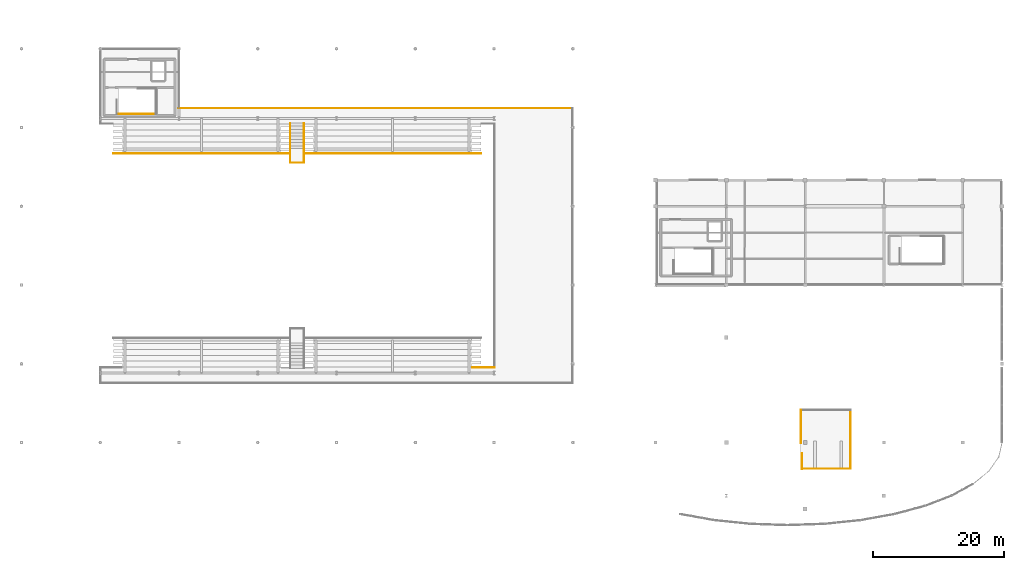
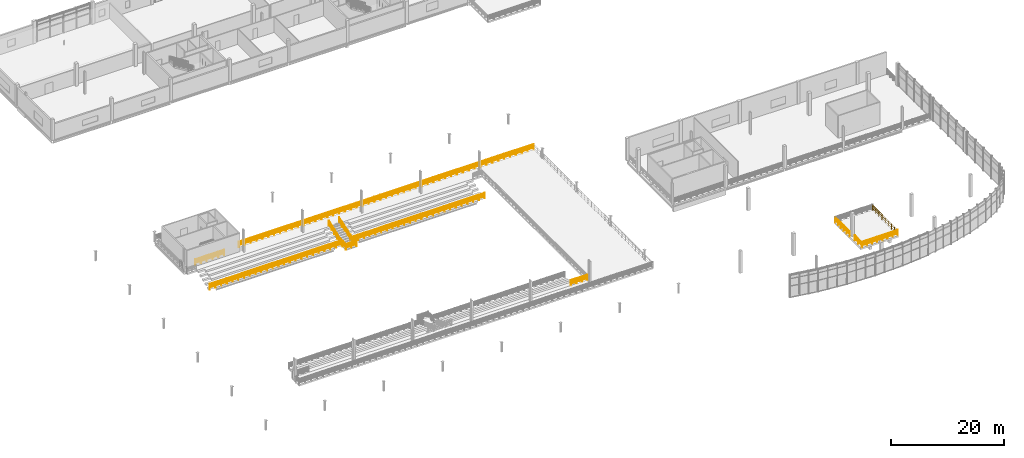
# One storey, part 46 of 52: 14 railings.
"""IFC4 building model written with IfcOpenShell, lengths in metres."""

from ifc_helpers import new_model, si_unit, direction, frame, origin, origin_2d, place, context, subcontext, project, spatial, circle, extrude, material, layer, layer_set, type_object, element, save


model = new_model("IFC4")

# Units and contexts
model_context = context("Model", 3, precision=1e-05, world=origin(), true_north=direction((0.0, 1.0)))
body_context = subcontext(model_context, "Body", "Model", "MODEL_VIEW")
ifc_project = project(units=[si_unit("LENGTHUNIT", "METRE"), si_unit("AREAUNIT", "SQUARE_METRE"), si_unit("VOLUMEUNIT", "CUBIC_METRE"), si_unit("PLANEANGLEUNIT", "RADIAN"), si_unit("MASSUNIT", "GRAM", prefix="KILO"), si_unit("THERMODYNAMICTEMPERATUREUNIT", "KELVIN"), si_unit("POWERUNIT", "WATT")], contexts=[model_context])

# Site, building, storey
site_placement = place(None, origin())
site = spatial("IfcSite", under=ifc_project, at=site_placement, CompositionType="ELEMENT")
building_placement = place(site_placement, origin())
building = spatial("IfcBuilding", under=site, at=building_placement, Name="Solmara Park Aquatics Centre", CompositionType="ELEMENT")
storey_placement = place(building_placement, frame((0.0, 0.0, 9.60009765625)))
storey = spatial("IfcBuildingStorey", under=building, at=storey_placement, Name="L02", CompositionType="ELEMENT", Elevation=9.60009765625)

# Railings
ifc_material_1 = material(Name="Toughened Glass and Stainless Steel Stand Guardrail", Category="steel")
ifc_layer_1 = layer(ifc_material_1, 0.06005859375, Name="Toughened Glass and Stainless Steel Stand Guardrail")
ifc_layer_set_1 = layer_set([ifc_layer_1], Name="Toughened Glass and Stainless Steel Stand Guardrail")
railing_type_1 = type_object("IfcRailingType", Name="ARC-RL-STD110", PredefinedType="GUARDRAIL", material=ifc_layer_set_1)
railing_1_placement = place(storey_placement, frame((26.60009765625, 56.64990234375, -1.440185546875)))
element("IfcRailing", 1, at=railing_1_placement, inside=storey, type_object=railing_type_1, Name="Upper North Stand Front Guardrail 7", PredefinedType="GUARDRAIL", context=body_context, shape_type="SweptSolid", body=[
    extrude(circle(Radius=0.02392578125, at=origin_2d()), frame((0.0, 0.0, 1.15576171875), z_axis=(1.0, 0.0, 0.0), x_axis=(0.0, 1.0, 0.0)), (0.0, 0.0, 1.0), 26.89990234375),
    extrude(circle(Radius=0.01416015625, at=origin_2d()), frame((0.0, 0.0, 0.4130859375), z_axis=(1.0, 0.0, 0.0), x_axis=(0.0, 1.0, 0.0)), (0.0, 0.0, 1.0), 26.89990234375),
    extrude(circle(Radius=0.01416015625, at=origin_2d()), frame((0.0, 0.0, 0.80224609375), z_axis=(1.0, 0.0, 0.0), x_axis=(0.0, 1.0, 0.0)), (0.0, 0.0, 1.0), 26.89990234375),
    extrude(circle(Radius=0.02099609375, at=origin_2d()), origin(), (0.0, 0.0, 1.0), 1.1318359375),
    extrude(circle(Radius=0.02099609375, at=origin_2d()), frame((1.169677734375, 0.0, 0.0)), (0.0, 0.0, 1.0), 1.1318359375),
    extrude(circle(Radius=0.02099609375, at=origin_2d()), frame((2.339111328125, 0.0, 0.0)), (0.0, 0.0, 1.0), 1.1318359375),
    extrude(circle(Radius=0.02099609375, at=origin_2d()), frame((3.5087890625, 0.0, 0.0)), (0.0, 0.0, 1.0), 1.1318359375),
    extrude(circle(Radius=0.02099609375, at=origin_2d()), frame((4.67822265625, 0.0, 0.0)), (0.0, 0.0, 1.0), 1.1318359375),
    extrude(circle(Radius=0.02099609375, at=origin_2d()), frame((5.847900390625, 0.0, 0.0)), (0.0, 0.0, 1.0), 1.1318359375),
    extrude(circle(Radius=0.02099609375, at=origin_2d()), frame((7.017333984375, 0.0, 0.0)), (0.0, 0.0, 1.0), 1.1318359375),
    extrude(circle(Radius=0.02099609375, at=origin_2d()), frame((8.18701171875, 0.0, 0.0)), (0.0, 0.0, 1.0), 1.1318359375),
    extrude(circle(Radius=0.02099609375, at=origin_2d()), frame((9.3564453125, 0.0, 0.0)), (0.0, 0.0, 1.0), 1.1318359375),
    extrude(circle(Radius=0.02099609375, at=origin_2d()), frame((10.526123046875, 0.0, 0.0)), (0.0, 0.0, 1.0), 1.1318359375),
    extrude(circle(Radius=0.02099609375, at=origin_2d()), frame((11.695556640625, 0.0, 0.0)), (0.0, 0.0, 1.0), 1.1318359375),
    extrude(circle(Radius=0.02099609375, at=origin_2d()), frame((12.865234375, 0.0, 0.0)), (0.0, 0.0, 1.0), 1.1318359375),
    extrude(circle(Radius=0.02099609375, at=origin_2d()), frame((14.03466796875, 0.0, 0.0)), (0.0, 0.0, 1.0), 1.1318359375),
    extrude(circle(Radius=0.02099609375, at=origin_2d()), frame((15.204345703125, 0.0, 0.0)), (0.0, 0.0, 1.0), 1.1318359375),
    extrude(circle(Radius=0.02099609375, at=origin_2d()), frame((16.373779296875, 0.0, 0.0)), (0.0, 0.0, 1.0), 1.1318359375),
    extrude(circle(Radius=0.02099609375, at=origin_2d()), frame((17.54345703125, 0.0, 0.0)), (0.0, 0.0, 1.0), 1.1318359375),
    extrude(circle(Radius=0.02099609375, at=origin_2d()), frame((18.712890625, 0.0, 0.0)), (0.0, 0.0, 1.0), 1.1318359375),
    extrude(circle(Radius=0.02099609375, at=origin_2d()), frame((19.882568359375, 0.0, 0.0)), (0.0, 0.0, 1.0), 1.1318359375),
    extrude(circle(Radius=0.02099609375, at=origin_2d()), frame((21.052001953125, 0.0, 0.0)), (0.0, 0.0, 1.0), 1.1318359375),
    extrude(circle(Radius=0.02099609375, at=origin_2d()), frame((22.2216796875, 0.0, 0.0)), (0.0, 0.0, 1.0), 1.1318359375),
    extrude(circle(Radius=0.02099609375, at=origin_2d()), frame((23.39111328125, 0.0, 0.0)), (0.0, 0.0, 1.0), 1.1318359375),
    extrude(circle(Radius=0.02099609375, at=origin_2d()), frame((24.560791015625, 0.0, 0.0)), (0.0, 0.0, 1.0), 1.1318359375),
    extrude(circle(Radius=0.02099609375, at=origin_2d()), frame((25.730224609375, 0.0, 0.0)), (0.0, 0.0, 1.0), 1.1318359375),
    extrude(circle(Radius=0.02099609375, at=origin_2d()), frame((26.89990234375, 0.0, 0.0)), (0.0, 0.0, 1.0), 1.1318359375),
])
railing_2_placement = place(storey_placement, frame((55.699951171875, 56.64990234375, -1.440185546875)))
element("IfcRailing", 2, at=railing_2_placement, inside=storey, type_object=railing_type_1, Name="Upper North Stand Front Guardrail 9", PredefinedType="GUARDRAIL", context=body_context, shape_type="SweptSolid", body=[
    extrude(circle(Radius=0.02392578125, at=origin_2d()), frame((0.0, 0.0, 1.15576171875), z_axis=(1.0, 0.0, 0.0), x_axis=(0.0, 1.0, 0.0)), (0.0, 0.0, 1.0), 26.900146484375),
    extrude(circle(Radius=0.01416015625, at=origin_2d()), frame((0.0, 0.0, 0.4130859375), z_axis=(1.0, 0.0, 0.0), x_axis=(0.0, 1.0, 0.0)), (0.0, 0.0, 1.0), 26.900146484375),
    extrude(circle(Radius=0.01416015625, at=origin_2d()), frame((0.0, 0.0, 0.80224609375), z_axis=(1.0, 0.0, 0.0), x_axis=(0.0, 1.0, 0.0)), (0.0, 0.0, 1.0), 26.900146484375),
    extrude(circle(Radius=0.02099609375, at=origin_2d()), origin(), (0.0, 0.0, 1.0), 1.1318359375),
    extrude(circle(Radius=0.02099609375, at=origin_2d()), frame((1.169677734375, 0.0, 0.0)), (0.0, 0.0, 1.0), 1.1318359375),
    extrude(circle(Radius=0.02099609375, at=origin_2d()), frame((2.339111328125, 0.0, 0.0)), (0.0, 0.0, 1.0), 1.1318359375),
    extrude(circle(Radius=0.02099609375, at=origin_2d()), frame((3.5087890625, 0.0, 0.0)), (0.0, 0.0, 1.0), 1.1318359375),
    extrude(circle(Radius=0.02099609375, at=origin_2d()), frame((4.67822265625, 0.0, 0.0)), (0.0, 0.0, 1.0), 1.1318359375),
    extrude(circle(Radius=0.02099609375, at=origin_2d()), frame((5.847900390625, 0.0, 0.0)), (0.0, 0.0, 1.0), 1.1318359375),
    extrude(circle(Radius=0.02099609375, at=origin_2d()), frame((7.017333984375, 0.0, 0.0)), (0.0, 0.0, 1.0), 1.1318359375),
    extrude(circle(Radius=0.02099609375, at=origin_2d()), frame((8.18701171875, 0.0, 0.0)), (0.0, 0.0, 1.0), 1.1318359375),
    extrude(circle(Radius=0.02099609375, at=origin_2d()), frame((9.356689453125, 0.0, 0.0)), (0.0, 0.0, 1.0), 1.1318359375),
    extrude(circle(Radius=0.02099609375, at=origin_2d()), frame((10.526123046875, 0.0, 0.0)), (0.0, 0.0, 1.0), 1.1318359375),
    extrude(circle(Radius=0.02099609375, at=origin_2d()), frame((11.69580078125, 0.0, 0.0)), (0.0, 0.0, 1.0), 1.1318359375),
    extrude(circle(Radius=0.02099609375, at=origin_2d()), frame((12.865234375, 0.0, 0.0)), (0.0, 0.0, 1.0), 1.1318359375),
    extrude(circle(Radius=0.02099609375, at=origin_2d()), frame((14.034912109375, 0.0, 0.0)), (0.0, 0.0, 1.0), 1.1318359375),
    extrude(circle(Radius=0.02099609375, at=origin_2d()), frame((15.204345703125, 0.0, 0.0)), (0.0, 0.0, 1.0), 1.1318359375),
    extrude(circle(Radius=0.02099609375, at=origin_2d()), frame((16.3740234375, 0.0, 0.0)), (0.0, 0.0, 1.0), 1.1318359375),
    extrude(circle(Radius=0.02099609375, at=origin_2d()), frame((17.54345703125, 0.0, 0.0)), (0.0, 0.0, 1.0), 1.1318359375),
    extrude(circle(Radius=0.02099609375, at=origin_2d()), frame((18.713134765625, 0.0, 0.0)), (0.0, 0.0, 1.0), 1.1318359375),
    extrude(circle(Radius=0.02099609375, at=origin_2d()), frame((19.8828125, 0.0, 0.0)), (0.0, 0.0, 1.0), 1.1318359375),
    extrude(circle(Radius=0.02099609375, at=origin_2d()), frame((21.05224609375, 0.0, 0.0)), (0.0, 0.0, 1.0), 1.1318359375),
    extrude(circle(Radius=0.02099609375, at=origin_2d()), frame((22.221923828125, 0.0, 0.0)), (0.0, 0.0, 1.0), 1.1318359375),
    extrude(circle(Radius=0.02099609375, at=origin_2d()), frame((23.391357421875, 0.0, 0.0)), (0.0, 0.0, 1.0), 1.1318359375),
    extrude(circle(Radius=0.02099609375, at=origin_2d()), frame((24.56103515625, 0.0, 0.0)), (0.0, 0.0, 1.0), 1.1318359375),
    extrude(circle(Radius=0.02099609375, at=origin_2d()), frame((25.73046875, 0.0, 0.0)), (0.0, 0.0, 1.0), 1.1318359375),
    extrude(circle(Radius=0.02099609375, at=origin_2d()), frame((26.900146484375, 0.0, 0.0)), (0.0, 0.0, 1.0), 1.1318359375),
])
railing_3_placement = place(storey_placement, frame((131.60009765625, 8.60009765625, 0.0)))
element("IfcRailing", 3, at=railing_3_placement, inside=storey, type_object=railing_type_1, Name="Atrium & Gallery Void Guardrail 29", PredefinedType="GUARDRAIL", context=body_context, shape_type="SweptSolid", body=[
    extrude(circle(Radius=0.02392578125, at=origin_2d()), frame((0.0, 0.0, 1.15576171875), z_axis=(1.0, 0.0, 0.0), x_axis=(0.0, 1.0, 0.0)), (0.0, 0.0, 1.0), 7.2998046875),
    extrude(circle(Radius=0.01416015625, at=origin_2d()), frame((0.0, 0.0, 0.4130859375), z_axis=(1.0, 0.0, 0.0), x_axis=(0.0, 1.0, 0.0)), (0.0, 0.0, 1.0), 7.2998046875),
    extrude(circle(Radius=0.01416015625, at=origin_2d()), frame((0.0, 0.0, 0.80224609375), z_axis=(1.0, 0.0, 0.0), x_axis=(0.0, 1.0, 0.0)), (0.0, 0.0, 1.0), 7.2998046875),
    extrude(circle(Radius=0.02099609375, at=origin_2d()), origin(), (0.0, 0.0, 1.0), 1.1318359375),
    extrude(circle(Radius=0.02099609375, at=origin_2d()), frame((1.042724609375, 0.0, 0.0)), (0.0, 0.0, 1.0), 1.1318359375),
    extrude(circle(Radius=0.02099609375, at=origin_2d()), frame((2.085693359375, 0.0, 0.0)), (0.0, 0.0, 1.0), 1.1318359375),
    extrude(circle(Radius=0.02099609375, at=origin_2d()), frame((3.12841796875, 0.0, 0.0)), (0.0, 0.0, 1.0), 1.1318359375),
    extrude(circle(Radius=0.02099609375, at=origin_2d()), frame((4.17138671875, 0.0, 0.0)), (0.0, 0.0, 1.0), 1.1318359375),
    extrude(circle(Radius=0.02099609375, at=origin_2d()), frame((5.214111328125, 0.0, 0.0)), (0.0, 0.0, 1.0), 1.1318359375),
    extrude(circle(Radius=0.02099609375, at=origin_2d()), frame((6.257080078125, 0.0, 0.0)), (0.0, 0.0, 1.0), 1.1318359375),
    extrude(circle(Radius=0.02099609375, at=origin_2d()), frame((7.2998046875, 0.0, 0.0)), (0.0, 0.0, 1.0), 1.1318359375),
])
railing_4_placement = place(storey_placement, frame((138.89990234375, 8.60009765625, 0.0)))
element("IfcRailing", 4, at=railing_4_placement, inside=storey, type_object=railing_type_1, Name="Atrium & Gallery Void Guardrail 30", PredefinedType="GUARDRAIL", context=body_context, shape_type="SweptSolid", body=[
    extrude(circle(Radius=0.02392578125, at=origin_2d()), frame((0.0, 0.0, 1.15576171875), z_axis=(0.0, 1.0, 0.0), x_axis=(-1.0, 0.0, 0.0)), (0.0, 0.0, 1.0), 8.89990234375),
    extrude(circle(Radius=0.01416015625, at=origin_2d()), frame((0.0, 0.0, 0.4130859375), z_axis=(0.0, 1.0, 0.0), x_axis=(-1.0, 0.0, 0.0)), (0.0, 0.0, 1.0), 8.89990234375),
    extrude(circle(Radius=0.01416015625, at=origin_2d()), frame((0.0, 0.0, 0.80224609375), z_axis=(0.0, 1.0, 0.0), x_axis=(-1.0, 0.0, 0.0)), (0.0, 0.0, 1.0), 8.89990234375),
    extrude(circle(Radius=0.02099609375, at=origin_2d()), origin(), (0.0, 0.0, 1.0), 1.1318359375),
    extrude(circle(Radius=0.02099609375, at=origin_2d()), frame((0.0, 1.112548828125, 0.0)), (0.0, 0.0, 1.0), 1.1318359375),
    extrude(circle(Radius=0.02099609375, at=origin_2d()), frame((0.0, 2.22509765625, 0.0)), (0.0, 0.0, 1.0), 1.1318359375),
    extrude(circle(Radius=0.02099609375, at=origin_2d()), frame((0.0, 3.33740234375, 0.0)), (0.0, 0.0, 1.0), 1.1318359375),
    extrude(circle(Radius=0.02099609375, at=origin_2d()), frame((0.0, 4.449951171875, 0.0)), (0.0, 0.0, 1.0), 1.1318359375),
    extrude(circle(Radius=0.02099609375, at=origin_2d()), frame((0.0, 5.5625, 0.0)), (0.0, 0.0, 1.0), 1.1318359375),
    extrude(circle(Radius=0.02099609375, at=origin_2d()), frame((0.0, 6.6748046875, 0.0)), (0.0, 0.0, 1.0), 1.1318359375),
    extrude(circle(Radius=0.02099609375, at=origin_2d()), frame((0.0, 7.787353515625, 0.0)), (0.0, 0.0, 1.0), 1.1318359375),
    extrude(circle(Radius=0.02099609375, at=origin_2d()), frame((0.0, 8.89990234375, 0.0)), (0.0, 0.0, 1.0), 1.1318359375),
])
railing_5_placement = place(storey_placement, frame((81.326416015625, 24.0400390625, 0.0)))
element("IfcRailing", 5, at=railing_5_placement, inside=storey, type_object=railing_type_1, Name="L02 Slab Edge Guardrail 084", PredefinedType="GUARDRAIL", context=body_context, shape_type="SweptSolid", body=[
    extrude(circle(Radius=0.02392578125, at=origin_2d()), frame((0.0, 0.0, 1.15576171875), z_axis=(1.0, 0.0, 0.0), x_axis=(0.0, 1.0, 0.0)), (0.0, 0.0, 1.0), 3.33349609375),
    extrude(circle(Radius=0.01416015625, at=origin_2d()), frame((0.0, 0.0, 0.4130859375), z_axis=(1.0, 0.0, 0.0), x_axis=(0.0, 1.0, 0.0)), (0.0, 0.0, 1.0), 3.33349609375),
    extrude(circle(Radius=0.01416015625, at=origin_2d()), frame((0.0, 0.0, 0.80224609375), z_axis=(1.0, 0.0, 0.0), x_axis=(0.0, 1.0, 0.0)), (0.0, 0.0, 1.0), 3.33349609375),
    extrude(circle(Radius=0.02099609375, at=origin_2d()), origin(), (0.0, 0.0, 1.0), 1.1318359375),
    extrude(circle(Radius=0.02099609375, at=origin_2d()), frame((1.111083984375, 0.0, 0.0)), (0.0, 0.0, 1.0), 1.1318359375),
    extrude(circle(Radius=0.02099609375, at=origin_2d()), frame((2.222412109375, 0.0, 0.0)), (0.0, 0.0, 1.0), 1.1318359375),
    extrude(circle(Radius=0.02099609375, at=origin_2d()), frame((3.33349609375, 0.0, 0.0)), (0.0, 0.0, 1.0), 1.1318359375),
])
railing_6_placement = place(storey_placement, frame((36.5400390625, 63.5400390625, 0.0)))
element("IfcRailing", 6, at=railing_6_placement, inside=storey, type_object=railing_type_1, Name="L02 Slab Edge Guardrail 089", PredefinedType="GUARDRAIL", context=body_context, shape_type="SweptSolid", body=[
    extrude(circle(Radius=0.02392578125, at=origin_2d()), frame((0.0, 0.0, 1.15576171875), z_axis=(1.0, 0.0, 0.0), x_axis=(0.0, 1.0, 0.0)), (0.0, 0.0, 1.0), 60.0),
    extrude(circle(Radius=0.01416015625, at=origin_2d()), frame((0.0, 0.0, 0.4130859375), z_axis=(1.0, 0.0, 0.0), x_axis=(0.0, 1.0, 0.0)), (0.0, 0.0, 1.0), 60.0),
    extrude(circle(Radius=0.01416015625, at=origin_2d()), frame((0.0, 0.0, 0.80224609375), z_axis=(1.0, 0.0, 0.0), x_axis=(0.0, 1.0, 0.0)), (0.0, 0.0, 1.0), 60.0),
    extrude(circle(Radius=0.02099609375, at=origin_2d()), origin(), (0.0, 0.0, 1.0), 1.1318359375),
    extrude(circle(Radius=0.02099609375, at=origin_2d()), frame((1.199951171875, 0.0, 0.0)), (0.0, 0.0, 1.0), 1.1318359375),
    extrude(circle(Radius=0.02099609375, at=origin_2d()), frame((2.39990234375, 0.0, 0.0)), (0.0, 0.0, 1.0), 1.1318359375),
    extrude(circle(Radius=0.02099609375, at=origin_2d()), frame((3.60009765625, 0.0, 0.0)), (0.0, 0.0, 1.0), 1.1318359375),
    extrude(circle(Radius=0.02099609375, at=origin_2d()), frame((4.800048828125, 0.0, 0.0)), (0.0, 0.0, 1.0), 1.1318359375),
    extrude(circle(Radius=0.02099609375, at=origin_2d()), frame((6.0, 0.0, 0.0)), (0.0, 0.0, 1.0), 1.1318359375),
    extrude(circle(Radius=0.02099609375, at=origin_2d()), frame((7.199951171875, 0.0, 0.0)), (0.0, 0.0, 1.0), 1.1318359375),
    extrude(circle(Radius=0.02099609375, at=origin_2d()), frame((8.39990234375, 0.0, 0.0)), (0.0, 0.0, 1.0), 1.1318359375),
    extrude(circle(Radius=0.02099609375, at=origin_2d()), frame((9.60009765625, 0.0, 0.0)), (0.0, 0.0, 1.0), 1.1318359375),
    extrude(circle(Radius=0.02099609375, at=origin_2d()), frame((10.800048828125, 0.0, 0.0)), (0.0, 0.0, 1.0), 1.1318359375),
    extrude(circle(Radius=0.02099609375, at=origin_2d()), frame((12.0, 0.0, 0.0)), (0.0, 0.0, 1.0), 1.1318359375),
    extrude(circle(Radius=0.02099609375, at=origin_2d()), frame((13.199951171875, 0.0, 0.0)), (0.0, 0.0, 1.0), 1.1318359375),
    extrude(circle(Radius=0.02099609375, at=origin_2d()), frame((14.39990234375, 0.0, 0.0)), (0.0, 0.0, 1.0), 1.1318359375),
    extrude(circle(Radius=0.02099609375, at=origin_2d()), frame((15.60009765625, 0.0, 0.0)), (0.0, 0.0, 1.0), 1.1318359375),
    extrude(circle(Radius=0.02099609375, at=origin_2d()), frame((16.800048828125, 0.0, 0.0)), (0.0, 0.0, 1.0), 1.1318359375),
    extrude(circle(Radius=0.02099609375, at=origin_2d()), frame((18.0, 0.0, 0.0)), (0.0, 0.0, 1.0), 1.1318359375),
    extrude(circle(Radius=0.02099609375, at=origin_2d()), frame((19.199951171875, 0.0, 0.0)), (0.0, 0.0, 1.0), 1.1318359375),
    extrude(circle(Radius=0.02099609375, at=origin_2d()), frame((20.39990234375, 0.0, 0.0)), (0.0, 0.0, 1.0), 1.1318359375),
    extrude(circle(Radius=0.02099609375, at=origin_2d()), frame((21.60009765625, 0.0, 0.0)), (0.0, 0.0, 1.0), 1.1318359375),
    extrude(circle(Radius=0.02099609375, at=origin_2d()), frame((22.800048828125, 0.0, 0.0)), (0.0, 0.0, 1.0), 1.1318359375),
    extrude(circle(Radius=0.02099609375, at=origin_2d()), frame((24.0, 0.0, 0.0)), (0.0, 0.0, 1.0), 1.1318359375),
    extrude(circle(Radius=0.02099609375, at=origin_2d()), frame((25.199951171875, 0.0, 0.0)), (0.0, 0.0, 1.0), 1.1318359375),
    extrude(circle(Radius=0.02099609375, at=origin_2d()), frame((26.39990234375, 0.0, 0.0)), (0.0, 0.0, 1.0), 1.1318359375),
    extrude(circle(Radius=0.02099609375, at=origin_2d()), frame((27.60009765625, 0.0, 0.0)), (0.0, 0.0, 1.0), 1.1318359375),
    extrude(circle(Radius=0.02099609375, at=origin_2d()), frame((28.800048828125, 0.0, 0.0)), (0.0, 0.0, 1.0), 1.1318359375),
    extrude(circle(Radius=0.02099609375, at=origin_2d()), frame((30.0, 0.0, 0.0)), (0.0, 0.0, 1.0), 1.1318359375),
    extrude(circle(Radius=0.02099609375, at=origin_2d()), frame((31.199951171875, 0.0, 0.0)), (0.0, 0.0, 1.0), 1.1318359375),
    extrude(circle(Radius=0.02099609375, at=origin_2d()), frame((32.39990234375, 0.0, 0.0)), (0.0, 0.0, 1.0), 1.1318359375),
    extrude(circle(Radius=0.02099609375, at=origin_2d()), frame((33.60009765625, 0.0, 0.0)), (0.0, 0.0, 1.0), 1.1318359375),
    extrude(circle(Radius=0.02099609375, at=origin_2d()), frame((34.800048828125, 0.0, 0.0)), (0.0, 0.0, 1.0), 1.1318359375),
    extrude(circle(Radius=0.02099609375, at=origin_2d()), frame((36.0, 0.0, 0.0)), (0.0, 0.0, 1.0), 1.1318359375),
    extrude(circle(Radius=0.02099609375, at=origin_2d()), frame((37.199951171875, 0.0, 0.0)), (0.0, 0.0, 1.0), 1.1318359375),
    extrude(circle(Radius=0.02099609375, at=origin_2d()), frame((38.39990234375, 0.0, 0.0)), (0.0, 0.0, 1.0), 1.1318359375),
    extrude(circle(Radius=0.02099609375, at=origin_2d()), frame((39.60009765625, 0.0, 0.0)), (0.0, 0.0, 1.0), 1.1318359375),
    extrude(circle(Radius=0.02099609375, at=origin_2d()), frame((40.800048828125, 0.0, 0.0)), (0.0, 0.0, 1.0), 1.1318359375),
    extrude(circle(Radius=0.02099609375, at=origin_2d()), frame((42.0, 0.0, 0.0)), (0.0, 0.0, 1.0), 1.1318359375),
    extrude(circle(Radius=0.02099609375, at=origin_2d()), frame((43.199951171875, 0.0, 0.0)), (0.0, 0.0, 1.0), 1.1318359375),
    extrude(circle(Radius=0.02099609375, at=origin_2d()), frame((44.39990234375, 0.0, 0.0)), (0.0, 0.0, 1.0), 1.1318359375),
    extrude(circle(Radius=0.02099609375, at=origin_2d()), frame((45.60009765625, 0.0, 0.0)), (0.0, 0.0, 1.0), 1.1318359375),
    extrude(circle(Radius=0.02099609375, at=origin_2d()), frame((46.800048828125, 0.0, 0.0)), (0.0, 0.0, 1.0), 1.1318359375),
    extrude(circle(Radius=0.02099609375, at=origin_2d()), frame((48.0, 0.0, 0.0)), (0.0, 0.0, 1.0), 1.1318359375),
    extrude(circle(Radius=0.02099609375, at=origin_2d()), frame((49.199951171875, 0.0, 0.0)), (0.0, 0.0, 1.0), 1.1318359375),
    extrude(circle(Radius=0.02099609375, at=origin_2d()), frame((50.39990234375, 0.0, 0.0)), (0.0, 0.0, 1.0), 1.1318359375),
    extrude(circle(Radius=0.02099609375, at=origin_2d()), frame((51.60009765625, 0.0, 0.0)), (0.0, 0.0, 1.0), 1.1318359375),
    extrude(circle(Radius=0.02099609375, at=origin_2d()), frame((52.800048828125, 0.0, 0.0)), (0.0, 0.0, 1.0), 1.1318359375),
    extrude(circle(Radius=0.02099609375, at=origin_2d()), frame((54.0, 0.0, 0.0)), (0.0, 0.0, 1.0), 1.1318359375),
    extrude(circle(Radius=0.02099609375, at=origin_2d()), frame((55.199951171875, 0.0, 0.0)), (0.0, 0.0, 1.0), 1.1318359375),
    extrude(circle(Radius=0.02099609375, at=origin_2d()), frame((56.39990234375, 0.0, 0.0)), (0.0, 0.0, 1.0), 1.1318359375),
    extrude(circle(Radius=0.02099609375, at=origin_2d()), frame((57.60009765625, 0.0, 0.0)), (0.0, 0.0, 1.0), 1.1318359375),
    extrude(circle(Radius=0.02099609375, at=origin_2d()), frame((58.800048828125, 0.0, 0.0)), (0.0, 0.0, 1.0), 1.1318359375),
    extrude(circle(Radius=0.02099609375, at=origin_2d()), frame((60.0, 0.0, 0.0)), (0.0, 0.0, 1.0), 1.1318359375),
])
railing_7_placement = place(storey_placement, frame((131.360107421875, 12.5, 0.0)))
element("IfcRailing", 7, at=railing_7_placement, inside=storey, type_object=railing_type_1, Name="L02 Slab Edge Guardrail 105", PredefinedType="GUARDRAIL", context=body_context, shape_type="SweptSolid", body=[
    extrude(circle(Radius=0.02392578125, at=origin_2d()), frame((0.0, 0.0, 1.15576171875), z_axis=(0.0, 1.0, 0.0), x_axis=(-1.0, 0.0, 0.0)), (0.0, 0.0, 1.0), 5.0400390625),
    extrude(circle(Radius=0.01416015625, at=origin_2d()), frame((0.0, 0.0, 0.4130859375), z_axis=(0.0, 1.0, 0.0), x_axis=(-1.0, 0.0, 0.0)), (0.0, 0.0, 1.0), 5.0400390625),
    extrude(circle(Radius=0.01416015625, at=origin_2d()), frame((0.0, 0.0, 0.80224609375), z_axis=(0.0, 1.0, 0.0), x_axis=(-1.0, 0.0, 0.0)), (0.0, 0.0, 1.0), 5.0400390625),
    extrude(circle(Radius=0.02099609375, at=origin_2d()), origin(), (0.0, 0.0, 1.0), 1.1318359375),
    extrude(circle(Radius=0.02099609375, at=origin_2d()), frame((0.0, 1.008056640625, 0.0)), (0.0, 0.0, 1.0), 1.1318359375),
    extrude(circle(Radius=0.02099609375, at=origin_2d()), frame((0.0, 2.01611328125, 0.0)), (0.0, 0.0, 1.0), 1.1318359375),
    extrude(circle(Radius=0.02099609375, at=origin_2d()), frame((0.0, 3.02392578125, 0.0)), (0.0, 0.0, 1.0), 1.1318359375),
    extrude(circle(Radius=0.02099609375, at=origin_2d()), frame((0.0, 4.031982421875, 0.0)), (0.0, 0.0, 1.0), 1.1318359375),
    extrude(circle(Radius=0.02099609375, at=origin_2d()), frame((0.0, 5.0400390625, 0.0)), (0.0, 0.0, 1.0), 1.1318359375),
])
ifc_material_2 = material(Name="Brushed Stainless Steel Guardrail", Category="steel")
ifc_layer_2 = layer(ifc_material_2, 0.050048828125, Name="Brushed Stainless Steel Guardrail")
ifc_layer_set_2 = layer_set([ifc_layer_2], Name="Brushed Stainless Steel Guardrail")
railing_type_2 = type_object("IfcRailingType", Name="ARC-RL-STR110", PredefinedType="GUARDRAIL", material=ifc_layer_set_2)
railing_8_placement = place(storey_placement, frame((27.1298828125, 62.679931640625, 0.0)))
element("IfcRailing", 8, at=railing_8_placement, inside=storey, type_object=railing_type_2, Name="ST-04 Protected Exit Stair (L01 to L02) Top Well South Guardrail", PredefinedType="GUARDRAIL", context=body_context, shape_type="SweptSolid", body=[
    extrude(circle(Radius=0.02392578125, at=origin_2d()), frame((0.0, 0.0, 1.15576171875), z_axis=(1.0, 0.0, 0.0), x_axis=(0.0, 1.0, 0.0)), (0.0, 0.0, 1.0), 5.9501953125),
    extrude(circle(Radius=0.01416015625, at=origin_2d()), frame((0.0, 0.0, 0.4130859375), z_axis=(1.0, 0.0, 0.0), x_axis=(0.0, 1.0, 0.0)), (0.0, 0.0, 1.0), 5.9501953125),
    extrude(circle(Radius=0.01416015625, at=origin_2d()), frame((0.0, 0.0, 0.80224609375), z_axis=(1.0, 0.0, 0.0), x_axis=(0.0, 1.0, 0.0)), (0.0, 0.0, 1.0), 5.9501953125),
    extrude(circle(Radius=0.02099609375, at=origin_2d()), origin(), (0.0, 0.0, 1.0), 1.1318359375),
    extrude(circle(Radius=0.02099609375, at=origin_2d()), frame((1.18994140625, 0.0, 0.0)), (0.0, 0.0, 1.0), 1.1318359375),
    extrude(circle(Radius=0.02099609375, at=origin_2d()), frame((2.380126953125, 0.0, 0.0)), (0.0, 0.0, 1.0), 1.1318359375),
    extrude(circle(Radius=0.02099609375, at=origin_2d()), frame((3.570068359375, 0.0, 0.0)), (0.0, 0.0, 1.0), 1.1318359375),
    extrude(circle(Radius=0.02099609375, at=origin_2d()), frame((4.76025390625, 0.0, 0.0)), (0.0, 0.0, 1.0), 1.1318359375),
    extrude(circle(Radius=0.02099609375, at=origin_2d()), frame((5.9501953125, 0.0, 0.0)), (0.0, 0.0, 1.0), 1.1318359375),
])
railing_9_placement = place(storey_placement, frame((131.530029296875, 8.550048828125, 0.0)))
element("IfcRailing", 9, at=railing_9_placement, inside=storey, type_object=railing_type_2, Name="Diving Tower Platform Stair DT-02 Platform Arrival Guardrail", PredefinedType="GUARDRAIL", context=body_context, shape_type="SweptSolid", body=[
    extrude(circle(Radius=0.02392578125, at=origin_2d()), frame((0.0, 0.0, 1.15576171875), z_axis=(0.0, 1.0, 0.0), x_axis=(-1.0, 0.0, 0.0)), (0.0, 0.0, 1.0), 2.369873046875),
    extrude(circle(Radius=0.01416015625, at=origin_2d()), frame((0.0, 0.0, 0.4130859375), z_axis=(0.0, 1.0, 0.0), x_axis=(-1.0, 0.0, 0.0)), (0.0, 0.0, 1.0), 2.369873046875),
    extrude(circle(Radius=0.01416015625, at=origin_2d()), frame((0.0, 0.0, 0.80224609375), z_axis=(0.0, 1.0, 0.0), x_axis=(-1.0, 0.0, 0.0)), (0.0, 0.0, 1.0), 2.369873046875),
    extrude(circle(Radius=0.02099609375, at=origin_2d()), origin(), (0.0, 0.0, 1.0), 1.1318359375),
    extrude(circle(Radius=0.02099609375, at=origin_2d()), frame((0.0, 1.18505859375, 0.0)), (0.0, 0.0, 1.0), 1.1318359375),
    extrude(circle(Radius=0.02099609375, at=origin_2d()), frame((0.0, 2.369873046875, 0.0)), (0.0, 0.0, 1.0), 1.1318359375),
])
railing_10_placement = place(storey_placement, frame((53.550048828125, 57.35009765625, -1.440185546875)))
element("IfcRailing", 10, at=railing_10_placement, inside=storey, type_object=railing_type_2, Name="Vomitory Stair VS-05 Flight Guardrail 1", PredefinedType="GUARDRAIL", context=body_context, shape_type="SweptSolid", body=[
    extrude(circle(Radius=0.02392578125, at=origin_2d()), frame((0.0, 0.0, 1.15576171875), z_axis=(0.0, 0.938079152589, 0.346420991682), x_axis=(-1.0, 0.0, 0.0)), (0.0, 0.0, 1.0), 4.1572265625),
    extrude(circle(Radius=0.01416015625, at=origin_2d()), frame((0.0, 0.0, 0.4130859375), z_axis=(0.0, 0.938079152589, 0.346420991682), x_axis=(-1.0, 0.0, 0.0)), (0.0, 0.0, 1.0), 4.1572265625),
    extrude(circle(Radius=0.01416015625, at=origin_2d()), frame((0.0, 0.0, 0.80224609375), z_axis=(0.0, 0.938079152589, 0.346420991682), x_axis=(-1.0, 0.0, 0.0)), (0.0, 0.0, 1.0), 4.1572265625),
    extrude(circle(Radius=0.02099609375, at=origin_2d()), origin(), (0.0, 0.0, 1.0), 1.1318359375),
    extrude(circle(Radius=0.02099609375, at=origin_2d()), frame((0.0, 0.97509765625, 0.360107421875)), (0.0, 0.0, 1.0), 1.1318359375),
    extrude(circle(Radius=0.02099609375, at=origin_2d()), frame((0.0, 1.949951171875, 0.72021484375)), (0.0, 0.0, 1.0), 1.1318359375),
    extrude(circle(Radius=0.02099609375, at=origin_2d()), frame((0.0, 2.9248046875, 1.080078125)), (0.0, 0.0, 1.0), 1.1318359375),
    extrude(circle(Radius=0.02099609375, at=origin_2d()), frame((0.0, 3.89990234375, 1.440185546875)), (0.0, 0.0, 1.0), 1.1318359375),
])
railing_11_placement = place(storey_placement, frame((53.550048828125, 55.27001953125, -1.440185546875)))
element("IfcRailing", 11, at=railing_11_placement, inside=storey, type_object=railing_type_2, Name="Vomitory Stair VS-05 Landing Side Guardrail 1", PredefinedType="GUARDRAIL", context=body_context, shape_type="SweptSolid", body=[
    extrude(circle(Radius=0.02392578125, at=origin_2d()), frame((0.0, 0.0, 1.15576171875), z_axis=(0.0, 1.0, 0.0), x_axis=(-1.0, 0.0, 0.0)), (0.0, 0.0, 1.0), 2.10009765625),
    extrude(circle(Radius=0.01416015625, at=origin_2d()), frame((0.0, 0.0, 0.4130859375), z_axis=(0.0, 1.0, 0.0), x_axis=(-1.0, 0.0, 0.0)), (0.0, 0.0, 1.0), 2.10009765625),
    extrude(circle(Radius=0.01416015625, at=origin_2d()), frame((0.0, 0.0, 0.80224609375), z_axis=(0.0, 1.0, 0.0), x_axis=(-1.0, 0.0, 0.0)), (0.0, 0.0, 1.0), 2.10009765625),
    extrude(circle(Radius=0.02099609375, at=origin_2d()), origin(), (0.0, 0.0, 1.0), 1.1318359375),
    extrude(circle(Radius=0.02099609375, at=origin_2d()), frame((0.0, 1.050048828125, 0.0)), (0.0, 0.0, 1.0), 1.1318359375),
    extrude(circle(Radius=0.02099609375, at=origin_2d()), frame((0.0, 2.10009765625, 0.0)), (0.0, 0.0, 1.0), 1.1318359375),
])
railing_12_placement = place(storey_placement, frame((55.64990234375, 57.35009765625, -1.440185546875)))
element("IfcRailing", 12, at=railing_12_placement, inside=storey, type_object=railing_type_2, Name="Vomitory Stair VS-05 Flight Guardrail 2", PredefinedType="GUARDRAIL", context=body_context, shape_type="SweptSolid", body=[
    extrude(circle(Radius=0.02392578125, at=origin_2d()), frame((0.0, 0.0, 1.15576171875), z_axis=(0.0, 0.938079152589, 0.346420991682), x_axis=(-1.0, 0.0, 0.0)), (0.0, 0.0, 1.0), 4.1572265625),
    extrude(circle(Radius=0.01416015625, at=origin_2d()), frame((0.0, 0.0, 0.4130859375), z_axis=(0.0, 0.938079152589, 0.346420991682), x_axis=(-1.0, 0.0, 0.0)), (0.0, 0.0, 1.0), 4.1572265625),
    extrude(circle(Radius=0.01416015625, at=origin_2d()), frame((0.0, 0.0, 0.80224609375), z_axis=(0.0, 0.938079152589, 0.346420991682), x_axis=(-1.0, 0.0, 0.0)), (0.0, 0.0, 1.0), 4.1572265625),
    extrude(circle(Radius=0.02099609375, at=origin_2d()), origin(), (0.0, 0.0, 1.0), 1.1318359375),
    extrude(circle(Radius=0.02099609375, at=origin_2d()), frame((0.0, 0.97509765625, 0.360107421875)), (0.0, 0.0, 1.0), 1.1318359375),
    extrude(circle(Radius=0.02099609375, at=origin_2d()), frame((0.0, 1.949951171875, 0.72021484375)), (0.0, 0.0, 1.0), 1.1318359375),
    extrude(circle(Radius=0.02099609375, at=origin_2d()), frame((0.0, 2.9248046875, 1.080078125)), (0.0, 0.0, 1.0), 1.1318359375),
    extrude(circle(Radius=0.02099609375, at=origin_2d()), frame((0.0, 3.89990234375, 1.440185546875)), (0.0, 0.0, 1.0), 1.1318359375),
])
railing_13_placement = place(storey_placement, frame((55.64990234375, 55.27001953125, -1.440185546875)))
element("IfcRailing", 13, at=railing_13_placement, inside=storey, type_object=railing_type_2, Name="Vomitory Stair VS-05 Landing Side Guardrail 2", PredefinedType="GUARDRAIL", context=body_context, shape_type="SweptSolid", body=[
    extrude(circle(Radius=0.02392578125, at=origin_2d()), frame((0.0, 0.0, 1.15576171875), z_axis=(0.0, 1.0, 0.0), x_axis=(-1.0, 0.0, 0.0)), (0.0, 0.0, 1.0), 2.10009765625),
    extrude(circle(Radius=0.01416015625, at=origin_2d()), frame((0.0, 0.0, 0.4130859375), z_axis=(0.0, 1.0, 0.0), x_axis=(-1.0, 0.0, 0.0)), (0.0, 0.0, 1.0), 2.10009765625),
    extrude(circle(Radius=0.01416015625, at=origin_2d()), frame((0.0, 0.0, 0.80224609375), z_axis=(0.0, 1.0, 0.0), x_axis=(-1.0, 0.0, 0.0)), (0.0, 0.0, 1.0), 2.10009765625),
    extrude(circle(Radius=0.02099609375, at=origin_2d()), origin(), (0.0, 0.0, 1.0), 1.1318359375),
    extrude(circle(Radius=0.02099609375, at=origin_2d()), frame((0.0, 1.050048828125, 0.0)), (0.0, 0.0, 1.0), 1.1318359375),
    extrude(circle(Radius=0.02099609375, at=origin_2d()), frame((0.0, 2.10009765625, 0.0)), (0.0, 0.0, 1.0), 1.1318359375),
])
railing_14_placement = place(storey_placement, frame((53.550048828125, 55.22998046875, -1.440185546875)))
element("IfcRailing", 14, at=railing_14_placement, inside=storey, type_object=railing_type_2, Name="Vomitory Stair VS-05 Landing Front Guardrail", PredefinedType="GUARDRAIL", context=body_context, shape_type="SweptSolid", body=[
    extrude(circle(Radius=0.02392578125, at=origin_2d()), frame((0.0, 0.0, 1.15576171875), z_axis=(1.0, 0.0, 0.0), x_axis=(0.0, 1.0, 0.0)), (0.0, 0.0, 1.0), 2.099853515625),
    extrude(circle(Radius=0.01416015625, at=origin_2d()), frame((0.0, 0.0, 0.4130859375), z_axis=(1.0, 0.0, 0.0), x_axis=(0.0, 1.0, 0.0)), (0.0, 0.0, 1.0), 2.099853515625),
    extrude(circle(Radius=0.01416015625, at=origin_2d()), frame((0.0, 0.0, 0.80224609375), z_axis=(1.0, 0.0, 0.0), x_axis=(0.0, 1.0, 0.0)), (0.0, 0.0, 1.0), 2.099853515625),
    extrude(circle(Radius=0.02099609375, at=origin_2d()), origin(), (0.0, 0.0, 1.0), 1.1318359375),
    extrude(circle(Radius=0.02099609375, at=origin_2d()), frame((1.0498046875, 0.0, 0.0)), (0.0, 0.0, 1.0), 1.1318359375),
    extrude(circle(Radius=0.02099609375, at=origin_2d()), frame((2.099853515625, 0.0, 0.0)), (0.0, 0.0, 1.0), 1.1318359375),
])

save(model, "model.ifc")
